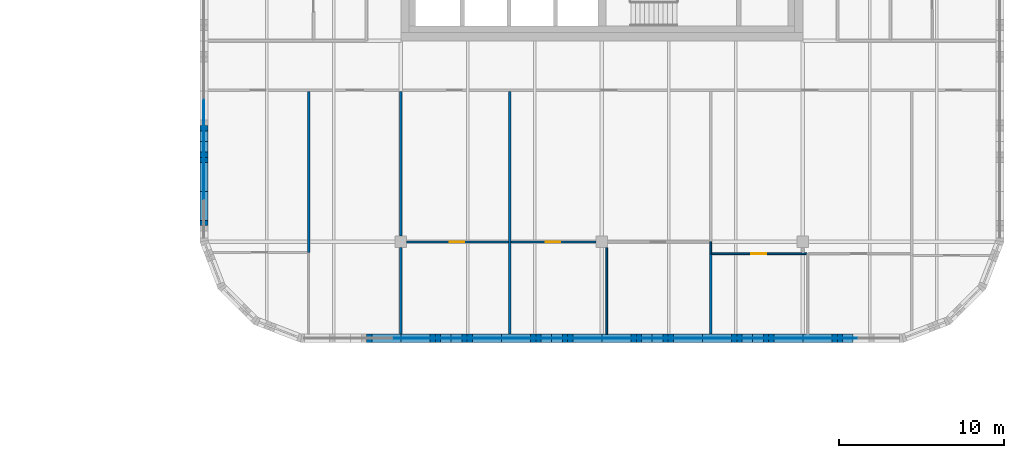
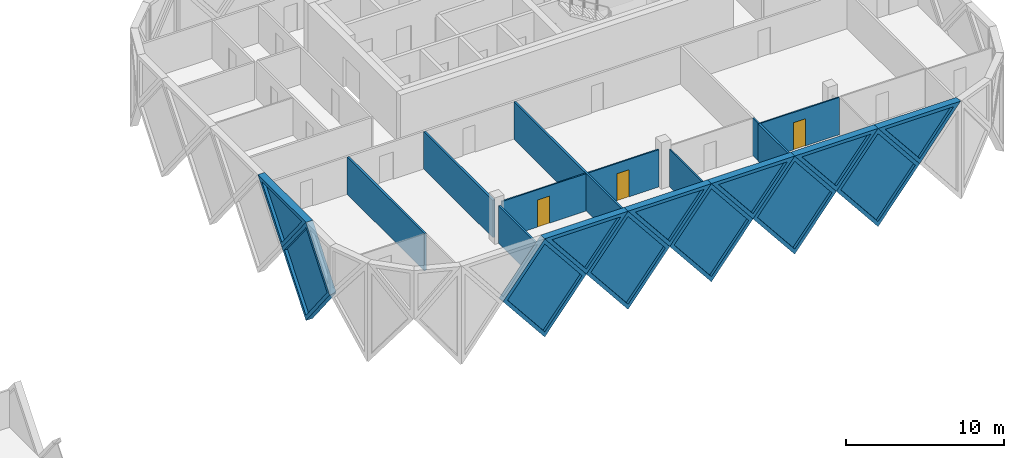
# One storey, part 12 of 21: 22 walls, 12 plates, 3 doors, 15 openings.
"""IFC4 building model written with IfcOpenShell, lengths in metres."""

from ifc_helpers import new_model, si_unit, direction, frame, frame_2d, origin, place, context, subcontext, project, spatial, polyline, rectangle, outline, extrude, faceted_brep, source, transform, mapped, material, layer, layer_set, type_object, element, fill, save


model = new_model("IFC4")

# Units and contexts
model_context = context("Model", 3, precision=1e-05, world=origin(), true_north=direction((0.0, 1.0)))
body_context = subcontext(model_context, "Body", "Model", "MODEL_VIEW")
ifc_project = project(units=[si_unit("LENGTHUNIT", "METRE"), si_unit("AREAUNIT", "SQUARE_METRE"), si_unit("VOLUMEUNIT", "CUBIC_METRE"), si_unit("PLANEANGLEUNIT", "RADIAN"), si_unit("MASSUNIT", "GRAM", prefix="KILO")], contexts=[model_context])

# Site, building, storey
site_placement = place(None, origin())
site = spatial("IfcSite", under=ifc_project, at=site_placement, CompositionType="ELEMENT")
building_placement = place(site_placement, origin())
building = spatial("IfcBuilding", under=site, at=building_placement, Name="Tessera Gate Towers", CompositionType="ELEMENT")
storey_placement = place(building_placement, frame((0.0, 0.0, 91.39990234375)))
storey = spatial("IfcBuildingStorey", under=building, at=storey_placement, Name="L22", CompositionType="ELEMENT", Elevation=91.39990234375)

# Wall
ifc_material_1 = material(Name="Glass", Category="glass")
ifc_layer_1 = layer(ifc_material_1, 0.10009765625)
ifc_layer_set_1 = layer_set([ifc_layer_1], Name="GLAZED PARTITION 100")
wall_type_1 = type_object("IfcWallType", Name="GLAZED PARTITION 100", PredefinedType="PARTITIONING", material=ifc_layer_set_1)
wall_1_placement = place(storey_placement, frame((116.39990234375, 23.680908203125, 0.0), z_axis=(0.0, 0.0, 1.0), x_axis=(0.0, 1.0, 0.0)))
element("IfcWall", 1, at=wall_1_placement, inside=storey, type_object=wall_type_1, Name="T2-L22-PW-009", PredefinedType="PARTITIONING", context=body_context, shape_type="SweptSolid", body=[
    extrude(rectangle(XDim=0.718017578125, YDim=0.10009765625, at=frame_2d((0.35888671875, 0.0))), origin(), (0.0, 0.0, 1.0), 2.89501953125),
])

# Wall, opening, door
wall_2_placement = place(storey_placement, frame((122.24267578125, 23.679931640625, 0.0), z_axis=(0.0, 0.0, 1.0), x_axis=(-1.0, 0.0, 0.0)))
wall_2 = element("IfcWall", 2, at=wall_2_placement, inside=storey, type_object=wall_type_1, Name="T2-L22-PW-010", PredefinedType="PARTITIONING", context=body_context, shape_type="SweptSolid", body=[
    extrude(rectangle(XDim=5.7666015625, YDim=0.10009765625, at=frame_2d((2.88330078125, 0.0))), origin(), (0.0, 0.0, 1.0), 2.89501953125),
])
shared_shape_1 = source(origin(), body_context, "Body", "SweptSolid", [
    extrude(rectangle(XDim=0.89990234375, YDim=2.10009765625, at=frame_2d((0.449951171875, 1.050048828125))), frame((0.0, 0.06005859375, 0.0), z_axis=(0.0, -1.0, 0.0), x_axis=(1.0, 0.0, 0.0)), (0.0, 0.0, 1.0), 0.1201171875),
])
opening_1_placement = place(wall_2_placement, frame((2.466796875, 0.0, 0.0)))
opening_1 = element("IfcOpeningElement", 3, at=opening_1_placement, cuts=wall_2, Name="Opening D690-B09-03", PredefinedType="OPENING", context=body_context, shape_type="MappedRepresentation", body=[
    mapped(shared_shape_1, transform((0.0, 0.0, 0.0), scale=1.0)),
])
ifc_material_2 = material(Name="Glass in aluminium frame", Category="aluminium")
door_type_1 = type_object("IfcDoorType", Name="GLAZED DOOR 900 NOT RATED", OperationType="NOTDEFINED", PredefinedType="DOOR", material=ifc_material_2)
shared_shape_2 = source(origin(), body_context, "Body", "SweptSolid", [
    extrude(rectangle(XDim=0.89990234375, YDim=2.10009765625, at=frame_2d((0.449951171875, 1.050048828125))), frame((0.0, 0.02490234375, 0.0), z_axis=(0.0, -1.0, 0.0), x_axis=(1.0, 0.0, 0.0)), (0.0, 0.0, 1.0), 0.050048828125),
])
door_1_placement = place(opening_1_placement, origin())
door_1 = element("IfcDoor", 4, at=door_1_placement, inside=storey, type_object=door_type_1, Name="T2-L22-PD-016", OperationType="SINGLE_SWING_RIGHT", OverallHeight=2.10009765625, OverallWidth=0.89990234375, PredefinedType="DOOR", context=body_context, shape_type="MappedRepresentation", body=[
    mapped(shared_shape_2, transform((0.0, 0.0, 0.0), scale=1.0)),
])
fill(opening_1, door_1)

wall_3_placement = place(storey_placement, frame((109.448974609375, 24.39990234375, 0.0), z_axis=(0.0, 0.0, 1.0), x_axis=(-1.0, 0.0, 0.0)))
wall_3 = element("IfcWall", 5, at=wall_3_placement, inside=storey, type_object=wall_type_1, Name="T2-L22-PW-017", PredefinedType="PARTITIONING", context=body_context, shape_type="SweptSolid", body=[
    extrude(rectangle(XDim=5.173095703125, YDim=0.10009765625, at=frame_2d((2.58642578125, 0.0))), origin(), (0.0, 0.0, 1.0), 2.89501953125),
])
opening_2_placement = place(wall_3_placement, frame((2.173095703125, 0.0, 0.0)))
opening_2 = element("IfcOpeningElement", 6, at=opening_2_placement, cuts=wall_3, Name="Opening D690-B09-01", PredefinedType="OPENING", context=body_context, shape_type="MappedRepresentation", body=[
    mapped(shared_shape_1, transform((0.0, 0.0, 0.0), scale=1.0)),
])
door_2_placement = place(opening_2_placement, origin())
door_2 = element("IfcDoor", 7, at=door_2_placement, inside=storey, type_object=door_type_1, Name="T2-L22-PD-010", OperationType="SINGLE_SWING_RIGHT", OverallHeight=2.10009765625, OverallWidth=0.89990234375, PredefinedType="DOOR", context=body_context, shape_type="MappedRepresentation", body=[
    mapped(shared_shape_2, transform((0.0, 0.0, 0.0), scale=1.0)),
])
fill(opening_2, door_2)

# Wall
ifc_material_3 = material(Name="Gypsum board on steel studs", Category="steel")
ifc_layer_2 = layer(ifc_material_3, 0.10009765625)
ifc_layer_set_2 = layer_set([ifc_layer_2], Name="PARTITION 100")
wall_type_2 = type_object("IfcWallType", Name="PARTITION 100", PredefinedType="PARTITIONING", material=ifc_layer_set_2)
wall_4_placement = place(storey_placement, frame((110.093994140625, 18.800048828125, 0.0), z_axis=(0.0, 0.0, 1.0), x_axis=(0.0, 1.0, 0.0)))
element("IfcWall", 8, at=wall_4_placement, inside=storey, type_object=wall_type_2, Name="T2-L22-PW-004", PredefinedType="PARTITIONING", context=body_context, shape_type="SweptSolid", body=[
    extrude(rectangle(XDim=5.2490234375, YDim=0.10009765625, at=frame_2d((2.62451171875, 0.0))), origin(), (0.0, 0.0, 1.0), 2.89501953125),
])

# Wall, opening, door
wall_5_placement = place(storey_placement, frame((104.1240234375, 24.39990234375, 0.0), z_axis=(0.0, 0.0, 1.0), x_axis=(-1.0, 0.0, 0.0)))
wall_5 = element("IfcWall", 9, at=wall_5_placement, inside=storey, type_object=wall_type_2, Name="T2-L22-PW-016", PredefinedType="PARTITIONING", context=body_context, shape_type="SweptSolid", body=[
    extrude(rectangle(XDim=6.173095703125, YDim=0.10009765625, at=frame_2d((3.08642578125, 0.0))), origin(), (0.0, 0.0, 1.0), 2.89501953125),
])
opening_3_placement = place(wall_5_placement, frame((2.673095703125, 0.0, 0.0)))
opening_3 = element("IfcOpeningElement", 10, at=opening_3_placement, cuts=wall_5, Name="Opening D190-B09-09", PredefinedType="OPENING", context=body_context, shape_type="MappedRepresentation", body=[
    mapped(shared_shape_1, transform((0.0, 0.0, 0.0), scale=1.0)),
])
ifc_material_4 = material(Name="Timber door leaf in steel frame", Category="steel")
door_type_2 = type_object("IfcDoorType", Name="INTERNAL DOOR 900 NOT RATED", OperationType="NOTDEFINED", PredefinedType="DOOR", material=ifc_material_4)
door_3_placement = place(opening_3_placement, origin())
door_3 = element("IfcDoor", 11, at=door_3_placement, inside=storey, type_object=door_type_2, Name="T2-L22-PD-018", OperationType="SINGLE_SWING_RIGHT", OverallHeight=2.10009765625, OverallWidth=0.89990234375, PredefinedType="DOOR", context=body_context, shape_type="MappedRepresentation", body=[
    mapped(shared_shape_2, transform((0.0, 0.0, 0.0), scale=1.0)),
])
fill(opening_3, door_3)

# Walls
ifc_material_5 = material(Name="Gypsum board on steel studs, mineral wool", Category="steel")
ifc_layer_3 = layer(ifc_material_5, 0.14990234375)
ifc_layer_set_3 = layer_set([ifc_layer_3], Name="TENANCY WALL 150")
wall_type_3 = type_object("IfcWallType", Name="TENANCY WALL 150", PredefinedType="PARTITIONING", material=ifc_layer_set_3)
wall_6_placement = place(storey_placement, frame((97.60009765625, 18.800048828125, 0.0), z_axis=(0.0, 0.0, 1.0), x_axis=(0.0, 1.0, 0.0)))
element("IfcWall", 12, at=wall_6_placement, inside=storey, type_object=wall_type_3, Name="T2-L22-PW-002", PredefinedType="PARTITIONING", context=body_context, shape_type="SweptSolid", body=[
    extrude(rectangle(XDim=5.2490234375, YDim=0.14990234375, at=frame_2d((2.62451171875, 0.0))), origin(), (0.0, 0.0, 1.0), 2.89501953125),
])
wall_7_placement = place(storey_placement, frame((104.199951171875, 18.800048828125, 0.0), z_axis=(0.0, 0.0, 1.0), x_axis=(0.0, 1.0, 0.0)))
element("IfcWall", 13, at=wall_7_placement, inside=storey, type_object=wall_type_3, Name="T2-L22-PW-003", PredefinedType="PARTITIONING", context=body_context, shape_type="SweptSolid", body=[
    extrude(rectangle(XDim=14.723876953125, YDim=0.14990234375, at=frame_2d((7.36181640625, 0.0))), origin(), (0.0, 0.0, 1.0), 2.89501953125),
])
wall_8_placement = place(storey_placement, frame((116.39990234375, 18.800048828125, 0.0), z_axis=(0.0, 0.0, 1.0), x_axis=(0.0, 1.0, 0.0)))
element("IfcWall", 14, at=wall_8_placement, inside=storey, type_object=wall_type_3, Name="T2-L22-PW-005", PredefinedType="PARTITIONING", context=body_context, shape_type="SweptSolid", body=[
    extrude(rectangle(XDim=4.8798828125, YDim=0.14990234375, at=frame_2d((2.43994140625, 0.0))), origin(), (0.0, 0.0, 1.0), 2.89501953125),
])
wall_9_placement = place(storey_placement, frame((92.0, 23.7548828125, 0.0), z_axis=(0.0, 0.0, 1.0), x_axis=(0.0, 1.0, 0.0)))
element("IfcWall", 15, at=wall_9_placement, inside=storey, type_object=wall_type_3, Name="T2-L22-PW-014", PredefinedType="PARTITIONING", context=body_context, shape_type="SweptSolid", body=[
    extrude(rectangle(XDim=9.76904296875, YDim=0.14990234375, at=frame_2d((4.884521484375, 0.0))), origin(), (0.0, 0.0, 1.0), 2.89501953125),
])
wall_10_placement = place(storey_placement, frame((97.60009765625, 24.7509765625, 0.0), z_axis=(0.0, 0.0, 1.0), x_axis=(0.0, 1.0, 0.0)))
element("IfcWall", 16, at=wall_10_placement, inside=storey, type_object=wall_type_3, Name="T2-L22-PW-020", PredefinedType="PARTITIONING", context=body_context, shape_type="SweptSolid", body=[
    extrude(rectangle(XDim=8.77294921875, YDim=0.14990234375, at=frame_2d((4.386474609375, 0.0))), origin(), (0.0, 0.0, 1.0), 2.89501953125),
])

# Wall, opening, plate
ifc_material_6 = material(Name="Precast concrete C60/75 white", Category="concrete")
ifc_layer_4 = layer(ifc_material_6, 0.5)
ifc_layer_set_4 = layer_set([ifc_layer_4], Name="TS1 tessera")
wall_type_4 = type_object("IfcWallType", Name="TS1 tessera", PredefinedType="SOLIDWALL", material=ifc_layer_set_4)
shared_shape_3 = source(origin(), body_context, "Body", "Brep", [
    faceted_brep([(3.050048828125, -0.25, 0.0), (6.099853515625, -0.25, 3.799560546875), (6.099853515625, -0.25, 3.800048828125), (3.050048828125, -0.25, 7.599853515625), (0.0, -0.25, 3.7998046875), (0.0, 0.25, 3.7998046875), (3.050048828125, 0.25, 7.599853515625), (6.099853515625, 0.25, 3.800048828125), (6.099853515625, 0.25, 3.799560546875), (3.050048828125, 0.25, 0.0)], [[[0, 1, 2, 3, 4]], [[5, 6, 7, 8, 9]], [[9, 8, 1, 0]], [[7, 6, 3, 2]], [[6, 5, 4, 3]], [[5, 9, 0, 4]], [[1, 8, 7, 2]]]),
])
wall_11_placement = place(storey_placement, frame((94.550048828125, 18.550048828125, -3.7998046875), z_axis=(0.0, 0.0, 1.0), x_axis=(1.0, 0.0, 0.0)))
wall_11 = element("IfcWall", 17, at=wall_11_placement, inside=storey, type_object=wall_type_4, Name="Precast tessera T2 TS1-0270", PredefinedType="SOLIDWALL", context=body_context, shape_type="MappedRepresentation", body=[
    mapped(shared_shape_3, transform((0.0, 0.0, 0.0), scale=1.0)),
])
shared_shape_4 = source(origin(), body_context, "Body", "SweptSolid", [
    extrude(outline(polyline([(3.050048828125, 0.3994140625), (5.779541015625, 3.7998046875), (3.050048828125, 7.200439453125), (0.320556640625, 3.7998046875), (3.050048828125, 0.3994140625)])), frame((0.0, 0.260009765625, 0.0), z_axis=(0.0, -1.0, 0.0), x_axis=(1.0, 0.0, 0.0)), (0.0, 0.0, 1.0), 0.52001953125),
])
opening_4_placement = place(wall_11_placement, origin())
opening_4 = element("IfcOpeningElement", 18, at=opening_4_placement, cuts=wall_11, Name="Opening T2-PL2-0512", PredefinedType="OPENING", context=body_context, shape_type="MappedRepresentation", body=[
    mapped(shared_shape_4, transform((0.0, 0.0, 0.0), scale=1.0)),
])
ifc_material_7 = material(Name="Low-e laminated glass", Category="glass")
ifc_layer_5 = layer(ifc_material_7, 0.06005859375)
ifc_layer_set_5 = layer_set([ifc_layer_5], Name="PL2 rhombic pane")
plate_type_1 = type_object("IfcPlateType", Name="PL2 rhombic pane", PredefinedType="SHEET", material=ifc_layer_set_5)
shared_shape_5 = source(origin(), body_context, "Body", "SweptSolid", [
    extrude(outline(polyline([(3.050048828125, 0.3994140625), (5.779541015625, 3.7998046875), (3.050048828125, 7.200439453125), (0.320556640625, 3.7998046875), (3.050048828125, 0.3994140625)])), frame((0.0, 0.030029296875, 0.0), z_axis=(0.0, -1.0, 0.0), x_axis=(1.0, 0.0, 0.0)), (0.0, 0.0, 1.0), 0.06005859375),
])
plate_1_placement = place(opening_4_placement, origin())
plate_1 = element("IfcPlate", 19, at=plate_1_placement, inside=storey, type_object=plate_type_1, Name="Glass pane T2 PL2-0512", PredefinedType="SHEET", context=body_context, shape_type="MappedRepresentation", body=[
    mapped(shared_shape_5, transform((0.0, 0.0, 0.0), scale=1.0)),
])
fill(opening_4, plate_1)

wall_12_placement = place(storey_placement, frame((112.85009765625, 18.550048828125, -3.7998046875), z_axis=(0.0, 0.0, 1.0), x_axis=(1.0, 0.0, 0.0)))
wall_12 = element("IfcWall", 20, at=wall_12_placement, inside=storey, type_object=wall_type_4, Name="Precast tessera T2 TS1-0273", PredefinedType="SOLIDWALL", context=body_context, shape_type="MappedRepresentation", body=[
    mapped(shared_shape_3, transform((0.0, 0.0, 0.0), scale=1.0)),
])
opening_5_placement = place(wall_12_placement, origin())
opening_5 = element("IfcOpeningElement", 21, at=opening_5_placement, cuts=wall_12, Name="Opening T2-PL2-0515", PredefinedType="OPENING", context=body_context, shape_type="MappedRepresentation", body=[
    mapped(shared_shape_4, transform((0.0, 0.0, 0.0), scale=1.0)),
])
plate_2_placement = place(opening_5_placement, origin())
plate_2 = element("IfcPlate", 22, at=plate_2_placement, inside=storey, type_object=plate_type_1, Name="Glass pane T2 PL2-0515", PredefinedType="SHEET", context=body_context, shape_type="MappedRepresentation", body=[
    mapped(shared_shape_5, transform((0.0, 0.0, 0.0), scale=1.0)),
])
fill(opening_5, plate_2)

shared_shape_6 = source(origin(), body_context, "Body", "SweptSolid", [
    extrude(outline(polyline([(3.050048828125, 0.0), (6.10009765625, 3.7998046875), (3.050048828125, 7.599853515625), (0.0, 3.7998046875), (3.050048828125, 0.0)])), frame((0.0, 0.25, 0.0), z_axis=(0.0, -1.0, 0.0), x_axis=(1.0, 0.0, 0.0)), (0.0, 0.0, 1.0), 0.5),
])
wall_13_placement = place(storey_placement, frame((100.64990234375, 18.550048828125, -3.7998046875), z_axis=(0.0, 0.0, 1.0), x_axis=(1.0, 0.0, 0.0)))
wall_13 = element("IfcWall", 23, at=wall_13_placement, inside=storey, type_object=wall_type_4, Name="Precast tessera T2 TS1-0271", PredefinedType="SOLIDWALL", context=body_context, shape_type="MappedRepresentation", body=[
    mapped(shared_shape_6, transform((0.0, 0.0, 0.0), scale=1.0)),
])
opening_6_placement = place(wall_13_placement, origin())
opening_6 = element("IfcOpeningElement", 24, at=opening_6_placement, cuts=wall_13, Name="Opening T2-PL2-0513", PredefinedType="OPENING", context=body_context, shape_type="MappedRepresentation", body=[
    mapped(shared_shape_4, transform((0.0, 0.0, 0.0), scale=1.0)),
])
plate_3_placement = place(opening_6_placement, origin())
plate_3 = element("IfcPlate", 25, at=plate_3_placement, inside=storey, type_object=plate_type_1, Name="Glass pane T2 PL2-0513", PredefinedType="SHEET", context=body_context, shape_type="MappedRepresentation", body=[
    mapped(shared_shape_5, transform((0.0, 0.0, 0.0), scale=1.0)),
])
fill(opening_6, plate_3)

wall_14_placement = place(storey_placement, frame((106.75, 18.550048828125, -3.7998046875), z_axis=(0.0, 0.0, 1.0), x_axis=(1.0, 0.0, 0.0)))
wall_14 = element("IfcWall", 26, at=wall_14_placement, inside=storey, type_object=wall_type_4, Name="Precast tessera T2 TS1-0272", PredefinedType="SOLIDWALL", context=body_context, shape_type="MappedRepresentation", body=[
    mapped(shared_shape_6, transform((0.0, 0.0, 0.0), scale=1.0)),
])
opening_7_placement = place(wall_14_placement, origin())
opening_7 = element("IfcOpeningElement", 27, at=opening_7_placement, cuts=wall_14, Name="Opening T2-PL2-0514", PredefinedType="OPENING", context=body_context, shape_type="MappedRepresentation", body=[
    mapped(shared_shape_4, transform((0.0, 0.0, 0.0), scale=1.0)),
])
plate_4_placement = place(opening_7_placement, origin())
plate_4 = element("IfcPlate", 28, at=plate_4_placement, inside=storey, type_object=plate_type_1, Name="Glass pane T2 PL2-0514", PredefinedType="SHEET", context=body_context, shape_type="MappedRepresentation", body=[
    mapped(shared_shape_5, transform((0.0, 0.0, 0.0), scale=1.0)),
])
fill(opening_7, plate_4)

wall_15_placement = place(storey_placement, frame((118.949951171875, 18.550048828125, -3.7998046875), z_axis=(0.0, 0.0, 1.0), x_axis=(1.0, 0.0, 0.0)))
wall_15 = element("IfcWall", 29, at=wall_15_placement, inside=storey, type_object=wall_type_4, Name="Precast tessera T2 TS1-0274", PredefinedType="SOLIDWALL", context=body_context, shape_type="MappedRepresentation", body=[
    mapped(shared_shape_6, transform((0.0, 0.0, 0.0), scale=1.0)),
])
opening_8_placement = place(wall_15_placement, origin())
opening_8 = element("IfcOpeningElement", 30, at=opening_8_placement, cuts=wall_15, Name="Opening T2-PL2-0516", PredefinedType="OPENING", context=body_context, shape_type="MappedRepresentation", body=[
    mapped(shared_shape_4, transform((0.0, 0.0, 0.0), scale=1.0)),
])
plate_5_placement = place(opening_8_placement, origin())
plate_5 = element("IfcPlate", 31, at=plate_5_placement, inside=storey, type_object=plate_type_1, Name="Glass pane T2 PL2-0516", PredefinedType="SHEET", context=body_context, shape_type="MappedRepresentation", body=[
    mapped(shared_shape_5, transform((0.0, 0.0, 0.0), scale=1.0)),
])
fill(opening_8, plate_5)

shared_shape_7 = source(origin(), body_context, "Body", "Brep", [
    faceted_brep([(3.050048828125, -0.25, 0.0), (6.053466796875, -0.25, 3.7998046875), (3.050048828125, -0.25, 7.599853515625), (0.0, -0.25, 3.7998046875), (0.0, 0.25, 3.7998046875), (3.050048828125, 0.25, 7.599853515625), (6.0068359375, 0.25, 3.858642578125), (6.0068359375, 0.25, 3.740966796875), (3.050048828125, 0.25, 0.0), (6.053466796875, 0.0, 3.7998046875)], [[[0, 1, 2, 3]], [[4, 5, 6, 7, 8]], [[8, 7, 9, 1, 0]], [[6, 5, 2, 1, 9]], [[5, 4, 3, 2]], [[4, 8, 0, 3]], [[9, 7, 6]]]),
])
wall_16_placement = place(storey_placement, frame((85.64990234375, 30.5, -3.7998046875), z_axis=(0.0, 0.0, 1.0), x_axis=(0.0, -1.0, 0.0)))
wall_16 = element("IfcWall", 32, at=wall_16_placement, inside=storey, type_object=wall_type_4, Name="Precast tessera T2 TS1-0287", PredefinedType="SOLIDWALL", context=body_context, shape_type="MappedRepresentation", body=[
    mapped(shared_shape_7, transform((0.0, 0.0, 0.0), scale=1.0)),
])
shared_shape_8 = source(origin(), body_context, "Body", "SweptSolid", [
    extrude(outline(polyline([(3.048583984375, 0.401123046875), (5.73486328125, 3.7998046875), (3.048583984375, 7.19873046875), (0.320556640625, 3.7998046875), (3.048583984375, 0.401123046875)])), frame((0.0, 0.260009765625, 0.0), z_axis=(0.0, -1.0, 0.0), x_axis=(1.0, 0.0, 0.0)), (0.0, 0.0, 1.0), 0.52001953125),
])
opening_9_placement = place(wall_16_placement, origin())
opening_9 = element("IfcOpeningElement", 33, at=opening_9_placement, cuts=wall_16, Name="Opening T2-PL2-0541", PredefinedType="OPENING", context=body_context, shape_type="MappedRepresentation", body=[
    mapped(shared_shape_8, transform((0.0, 0.0, 0.0), scale=1.0)),
])
shared_shape_9 = source(origin(), body_context, "Body", "SweptSolid", [
    extrude(outline(polyline([(3.048583984375, 0.401123046875), (5.73486328125, 3.7998046875), (3.048583984375, 7.19873046875), (0.320556640625, 3.7998046875), (3.048583984375, 0.401123046875)])), frame((0.0, 0.030029296875, 0.0), z_axis=(0.0, -1.0, 0.0), x_axis=(1.0, 0.0, 0.0)), (0.0, 0.0, 1.0), 0.06005859375),
])
plate_6_placement = place(opening_9_placement, origin())
plate_6 = element("IfcPlate", 34, at=plate_6_placement, inside=storey, type_object=plate_type_1, Name="Glass pane T2 PL2-0541", PredefinedType="SHEET", context=body_context, shape_type="MappedRepresentation", body=[
    mapped(shared_shape_9, transform((0.0, 0.0, 0.0), scale=1.0)),
])
fill(opening_9, plate_6)

ifc_material_8 = material(Name="Precast concrete C60/75 white", Category="concrete")
ifc_layer_6 = layer(ifc_material_8, 0.5)
ifc_layer_set_6 = layer_set([ifc_layer_6], Name="TS2 half tessera")
wall_type_5 = type_object("IfcWallType", Name="TS2 half tessera", PredefinedType="SOLIDWALL", material=ifc_layer_set_6)
shared_shape_10 = source(origin(), body_context, "Body", "Brep", [
    faceted_brep([(3.050048828125, -0.25, 0.0), (6.099853515625, -0.25, 3.7998046875), (6.099853515625, -0.25, 3.800048828125), (0.0, -0.25, 3.800048828125), (0.0, 0.25, 3.800048828125), (6.099853515625, 0.25, 3.800048828125), (6.099853515625, 0.25, 3.7998046875), (3.050048828125, 0.25, 0.0)], [[[0, 1, 2, 3]], [[4, 5, 6, 7]], [[7, 6, 1, 0]], [[5, 4, 3, 2]], [[4, 7, 0, 3]], [[1, 6, 5, 2]]]),
])
wall_17_placement = place(storey_placement, frame((97.60009765625, 18.550048828125, 0.0), z_axis=(0.0, 0.0, 1.0), x_axis=(1.0, 0.0, 0.0)))
wall_17 = element("IfcWall", 35, at=wall_17_placement, inside=storey, type_object=wall_type_5, Name="Precast half tessera T2 TS2-0091", PredefinedType="SOLIDWALL", context=body_context, shape_type="MappedRepresentation", body=[
    mapped(shared_shape_10, transform((0.0, 0.0, 0.0), scale=1.0)),
])
shared_shape_11 = source(origin(), body_context, "Body", "SweptSolid", [
    extrude(outline(polyline([(3.050048828125, 0.3994140625), (5.578857421875, 3.550048828125), (0.521240234375, 3.550048828125), (3.050048828125, 0.3994140625)])), frame((0.0, 0.260009765625, 0.0), z_axis=(0.0, -1.0, 0.0), x_axis=(1.0, 0.0, 0.0)), (0.0, 0.0, 1.0), 0.52001953125),
])
opening_10_placement = place(wall_17_placement, origin())
opening_10 = element("IfcOpeningElement", 36, at=opening_10_placement, cuts=wall_17, Name="Opening T2-PL1-0171", PredefinedType="OPENING", context=body_context, shape_type="MappedRepresentation", body=[
    mapped(shared_shape_11, transform((0.0, 0.0, 0.0), scale=1.0)),
])
ifc_material_9 = material(Name="Low-e laminated glass", Category="glass")
ifc_layer_7 = layer(ifc_material_9, 0.06005859375)
ifc_layer_set_7 = layer_set([ifc_layer_7], Name="PL1 triangular pane")
plate_type_2 = type_object("IfcPlateType", Name="PL1 triangular pane", PredefinedType="SHEET", material=ifc_layer_set_7)
shared_shape_12 = source(origin(), body_context, "Body", "SweptSolid", [
    extrude(outline(polyline([(3.050048828125, 0.3994140625), (5.578857421875, 3.550048828125), (0.521240234375, 3.550048828125), (3.050048828125, 0.3994140625)])), frame((0.0, 0.030029296875, 0.0), z_axis=(0.0, -1.0, 0.0), x_axis=(1.0, 0.0, 0.0)), (0.0, 0.0, 1.0), 0.06005859375),
])
plate_7_placement = place(opening_10_placement, origin())
plate_7 = element("IfcPlate", 37, at=plate_7_placement, inside=storey, type_object=plate_type_2, Name="Glass pane T2 PL1-0171", PredefinedType="SHEET", context=body_context, shape_type="MappedRepresentation", body=[
    mapped(shared_shape_12, transform((0.0, 0.0, 0.0), scale=1.0)),
])
fill(opening_10, plate_7)

wall_18_placement = place(storey_placement, frame((109.800048828125, 18.550048828125, 0.0), z_axis=(0.0, 0.0, 1.0), x_axis=(1.0, 0.0, 0.0)))
wall_18 = element("IfcWall", 38, at=wall_18_placement, inside=storey, type_object=wall_type_5, Name="Precast half tessera T2 TS2-0093", PredefinedType="SOLIDWALL", context=body_context, shape_type="MappedRepresentation", body=[
    mapped(shared_shape_10, transform((0.0, 0.0, 0.0), scale=1.0)),
])
opening_11_placement = place(wall_18_placement, origin())
opening_11 = element("IfcOpeningElement", 39, at=opening_11_placement, cuts=wall_18, Name="Opening T2-PL1-0173", PredefinedType="OPENING", context=body_context, shape_type="MappedRepresentation", body=[
    mapped(shared_shape_11, transform((0.0, 0.0, 0.0), scale=1.0)),
])
plate_8_placement = place(opening_11_placement, origin())
plate_8 = element("IfcPlate", 40, at=plate_8_placement, inside=storey, type_object=plate_type_2, Name="Glass pane T2 PL1-0173", PredefinedType="SHEET", context=body_context, shape_type="MappedRepresentation", body=[
    mapped(shared_shape_12, transform((0.0, 0.0, 0.0), scale=1.0)),
])
fill(opening_11, plate_8)

shared_shape_13 = source(origin(), body_context, "Body", "SweptSolid", [
    extrude(outline(polyline([(3.050048828125, 0.0), (6.10009765625, 3.800048828125), (0.0, 3.800048828125), (3.050048828125, 0.0)])), frame((0.0, 0.25, 0.0), z_axis=(0.0, -1.0, 0.0), x_axis=(1.0, 0.0, 0.0)), (0.0, 0.0, 1.0), 0.5),
])
wall_19_placement = place(storey_placement, frame((103.699951171875, 18.550048828125, 0.0), z_axis=(0.0, 0.0, 1.0), x_axis=(1.0, 0.0, 0.0)))
wall_19 = element("IfcWall", 41, at=wall_19_placement, inside=storey, type_object=wall_type_5, Name="Precast half tessera T2 TS2-0092", PredefinedType="SOLIDWALL", context=body_context, shape_type="MappedRepresentation", body=[
    mapped(shared_shape_13, transform((0.0, 0.0, 0.0), scale=1.0)),
])
opening_12_placement = place(wall_19_placement, origin())
opening_12 = element("IfcOpeningElement", 42, at=opening_12_placement, cuts=wall_19, Name="Opening T2-PL1-0172", PredefinedType="OPENING", context=body_context, shape_type="MappedRepresentation", body=[
    mapped(shared_shape_11, transform((0.0, 0.0, 0.0), scale=1.0)),
])
plate_9_placement = place(opening_12_placement, origin())
plate_9 = element("IfcPlate", 43, at=plate_9_placement, inside=storey, type_object=plate_type_2, Name="Glass pane T2 PL1-0172", PredefinedType="SHEET", context=body_context, shape_type="MappedRepresentation", body=[
    mapped(shared_shape_12, transform((0.0, 0.0, 0.0), scale=1.0)),
])
fill(opening_12, plate_9)

wall_20_placement = place(storey_placement, frame((115.89990234375, 18.550048828125, 0.0), z_axis=(0.0, 0.0, 1.0), x_axis=(1.0, 0.0, 0.0)))
wall_20 = element("IfcWall", 44, at=wall_20_placement, inside=storey, type_object=wall_type_5, Name="Precast half tessera T2 TS2-0094", PredefinedType="SOLIDWALL", context=body_context, shape_type="MappedRepresentation", body=[
    mapped(shared_shape_13, transform((0.0, 0.0, 0.0), scale=1.0)),
])
opening_13_placement = place(wall_20_placement, origin())
opening_13 = element("IfcOpeningElement", 45, at=opening_13_placement, cuts=wall_20, Name="Opening T2-PL1-0174", PredefinedType="OPENING", context=body_context, shape_type="MappedRepresentation", body=[
    mapped(shared_shape_11, transform((0.0, 0.0, 0.0), scale=1.0)),
])
plate_10_placement = place(opening_13_placement, origin())
plate_10 = element("IfcPlate", 46, at=plate_10_placement, inside=storey, type_object=plate_type_2, Name="Glass pane T2 PL1-0174", PredefinedType="SHEET", context=body_context, shape_type="MappedRepresentation", body=[
    mapped(shared_shape_12, transform((0.0, 0.0, 0.0), scale=1.0)),
])
fill(opening_13, plate_10)

wall_21_placement = place(storey_placement, frame((85.64990234375, 33.550048828125, 0.0), z_axis=(0.0, 0.0, 1.0), x_axis=(0.0, -1.0, 0.0)))
wall_21 = element("IfcWall", 47, at=wall_21_placement, inside=storey, type_object=wall_type_5, Name="Precast half tessera T2 TS2-0107", PredefinedType="SOLIDWALL", context=body_context, shape_type="MappedRepresentation", body=[
    mapped(shared_shape_13, transform((0.0, 0.0, 0.0), scale=1.0)),
])
opening_14_placement = place(wall_21_placement, origin())
opening_14 = element("IfcOpeningElement", 48, at=opening_14_placement, cuts=wall_21, Name="Opening T2-PL1-0199", PredefinedType="OPENING", context=body_context, shape_type="MappedRepresentation", body=[
    mapped(shared_shape_11, transform((0.0, 0.0, 0.0), scale=1.0)),
])
plate_11_placement = place(opening_14_placement, origin())
plate_11 = element("IfcPlate", 49, at=plate_11_placement, inside=storey, type_object=plate_type_2, Name="Glass pane T2 PL1-0199", PredefinedType="SHEET", context=body_context, shape_type="MappedRepresentation", body=[
    mapped(shared_shape_12, transform((0.0, 0.0, 0.0), scale=1.0)),
])
fill(opening_14, plate_11)

shared_shape_14 = source(origin(), body_context, "Body", "Brep", [
    faceted_brep([(3.050048828125, -0.25, 0.0), (6.053466796875, -0.25, 3.800048828125), (0.0, -0.25, 3.800048828125), (0.0, 0.25, 3.800048828125), (6.0068359375, 0.25, 3.800048828125), (6.0068359375, 0.25, 3.7412109375), (3.050048828125, 0.25, 0.0), (6.053466796875, 0.0, 3.800048828125)], [[[0, 1, 2]], [[3, 4, 5, 6]], [[6, 5, 7, 1, 0]], [[4, 3, 2, 1, 7]], [[3, 6, 0, 2]], [[5, 4, 7]]]),
])
wall_22_placement = place(storey_placement, frame((122.0, 18.550048828125, 0.0), z_axis=(0.0, 0.0, 1.0), x_axis=(1.0, 0.0, 0.0)))
wall_22 = element("IfcWall", 50, at=wall_22_placement, inside=storey, type_object=wall_type_5, Name="Precast half tessera T2 TS2-0095", PredefinedType="SOLIDWALL", context=body_context, shape_type="MappedRepresentation", body=[
    mapped(shared_shape_14, transform((0.0, 0.0, 0.0), scale=1.0)),
])
shared_shape_15 = source(origin(), body_context, "Body", "SweptSolid", [
    extrude(outline(polyline([(3.048583984375, 0.4013671875), (5.537109375, 3.550048828125), (0.521240234375, 3.550048828125), (3.048583984375, 0.4013671875)])), frame((0.0, 0.260009765625, 0.0), z_axis=(0.0, -1.0, 0.0), x_axis=(1.0, 0.0, 0.0)), (0.0, 0.0, 1.0), 0.52001953125),
])
opening_15_placement = place(wall_22_placement, origin())
opening_15 = element("IfcOpeningElement", 51, at=opening_15_placement, cuts=wall_22, Name="Opening T2-PL1-0175", PredefinedType="OPENING", context=body_context, shape_type="MappedRepresentation", body=[
    mapped(shared_shape_15, transform((0.0, 0.0, 0.0), scale=1.0)),
])
shared_shape_16 = source(origin(), body_context, "Body", "SweptSolid", [
    extrude(outline(polyline([(3.048583984375, 0.4013671875), (5.537109375, 3.550048828125), (0.521240234375, 3.550048828125), (3.048583984375, 0.4013671875)])), frame((0.0, 0.030029296875, 0.0), z_axis=(0.0, -1.0, 0.0), x_axis=(1.0, 0.0, 0.0)), (0.0, 0.0, 1.0), 0.06005859375),
])
plate_12_placement = place(opening_15_placement, origin())
plate_12 = element("IfcPlate", 52, at=plate_12_placement, inside=storey, type_object=plate_type_2, Name="Glass pane T2 PL1-0175", PredefinedType="SHEET", context=body_context, shape_type="MappedRepresentation", body=[
    mapped(shared_shape_16, transform((0.0, 0.0, 0.0), scale=1.0)),
])
fill(opening_15, plate_12)

save(model, "model.ifc")
